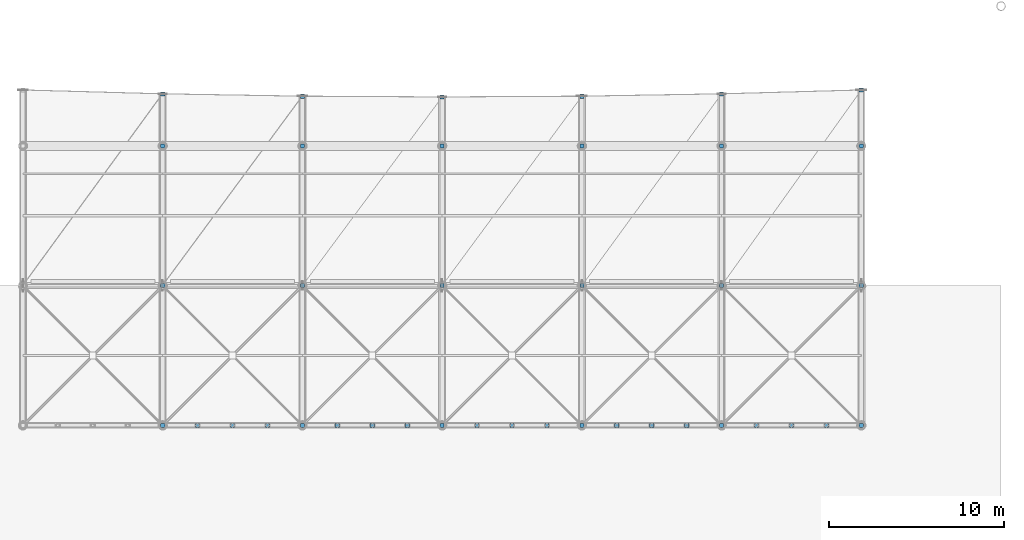
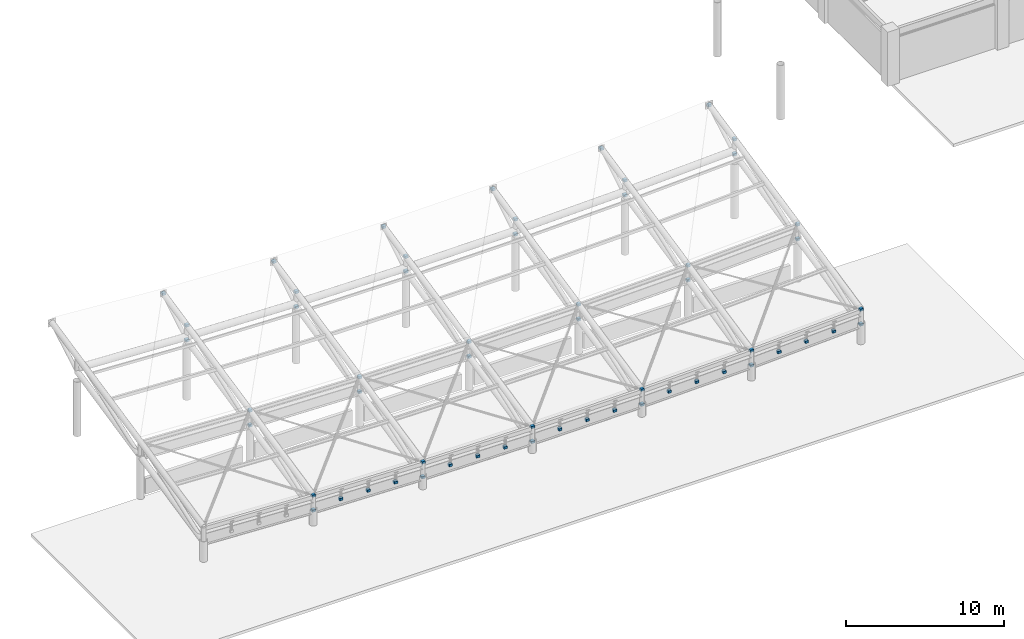
# One storey, part 66 of 78: 57 discrete accessories.
"""IFC4 building model written with IfcOpenShell, lengths in metres."""

import ifcopenshell
import ifcopenshell.guid

model = None  # the IFC model being written
_history = None  # IfcOwnerHistory: only IFC2X3 demands one
_inside = {}  # id of a spatial element -> (the spatial element, [elements in it])
_under = {}  # id of a project, library or spatial element -> (it, [spatial elements below it])
_declared = {}  # id of a project -> (the project, [libraries it declares])
_typed = {}  # id of a type object -> (the type object, [elements of that type])
_made_of = {}  # id of a material, layer set ... -> (it, [elements and type objects made of it])


def new_model(schema):
    """Start an empty IFC model of exactly this schema.

    Asked for "IFC4X3", IfcOpenShell would pick the latest addendum, in which some entities
    have other attributes; the version numbers below select the first issue.
    IFC2X3 requires an IfcOwnerHistory on every rooted entity: one is made here for all.
    """
    global model, _history
    if schema == "IFC4X3":
        model = ifcopenshell.file(schema_version=(4, 3, 0, 0))
    else:
        model = ifcopenshell.file(schema=schema)
    _inside.clear()
    _under.clear()
    _declared.clear()
    _typed.clear()
    _made_of.clear()
    _history = None
    if model.schema == "IFC2X3":
        org = make("IfcOrganization", Name="unknown")
        user = make(
            "IfcPersonAndOrganization",
            ThePerson=make("IfcPerson", FamilyName="unknown"),
            TheOrganization=org,
        )
        app = make(
            "IfcApplication",
            ApplicationDeveloper=org,
            Version="unknown",
            ApplicationFullName="unknown",
            ApplicationIdentifier="unknown",
        )
        _history = make(
            "IfcOwnerHistory",
            OwningUser=user,
            OwningApplication=app,
            ChangeAction="ADDED",
            CreationDate=0,
        )
    return model


def make(cls, **values):
    """One entity of the class cls with the attributes given. An attribute that is None is left unset."""
    return model.create_entity(
        cls, **{name: value for name, value in values.items() if value is not None}
    )


def rooted(cls, **values):
    """An entity with a GlobalId (a new one), such as an element, a storey or a relation."""
    return make(cls, GlobalId=ifcopenshell.guid.new(), OwnerHistory=_history, **values)


def si_unit(unit_type, name, prefix=None):
    """IfcSIUnit, for example si_unit("LENGTHUNIT", "METRE", prefix="MILLI")."""
    return make("IfcSIUnit", UnitType=unit_type, Prefix=prefix, Name=name)


def assignment(units):
    """IfcUnitAssignment: the units of a project."""
    return None if units is None else make("IfcUnitAssignment", Units=units)


def point(xyz):
    """IfcCartesianPoint."""
    return None if xyz is None else make("IfcCartesianPoint", Coordinates=xyz)


def direction(xyz):
    """IfcDirection."""
    return None if xyz is None else make("IfcDirection", DirectionRatios=xyz)


def frame(location, z_axis=None, x_axis=None):
    """IfcAxis2Placement3D, a coordinate frame: its origin and axes. An axis left out is left unset."""
    return make(
        "IfcAxis2Placement3D",
        Location=point(location),
        Axis=direction(z_axis),
        RefDirection=direction(x_axis),
    )


def frame_2d(location, x_axis=None):
    """IfcAxis2Placement2D, a coordinate frame in the plane: its origin and x axis."""
    return make(
        "IfcAxis2Placement2D", Location=point(location), RefDirection=direction(x_axis)
    )


def origin():
    """The frame at (0, 0, 0) with its axes left unset."""
    return frame((0.0, 0.0, 0.0))


def origin_2d():
    """The frame at (0, 0) in the plane with its x axis left unset."""
    return frame_2d((0.0, 0.0))


def place(relative_to, where):
    """IfcLocalPlacement: puts the frame where relative to a parent placement (None: the world)."""
    return make(
        "IfcLocalPlacement", PlacementRelTo=relative_to, RelativePlacement=where
    )


def context(
    kind, dimensions, precision=None, world=None, true_north=None, identifier=None
):
    """IfcGeometricRepresentationContext, for example the 3D "Model" context."""
    return make(
        "IfcGeometricRepresentationContext",
        ContextIdentifier=identifier,
        ContextType=kind,
        CoordinateSpaceDimension=dimensions,
        Precision=precision,
        WorldCoordinateSystem=world,
        TrueNorth=true_north,
    )


def subcontext(parent, identifier, kind, view, scale=None):
    """IfcGeometricRepresentationSubContext, for example "Body" below "Model"."""
    return make(
        "IfcGeometricRepresentationSubContext",
        ContextIdentifier=identifier,
        ContextType=kind,
        ParentContext=parent,
        TargetScale=scale,
        TargetView=view,
    )


def project(units=None, contexts=None):
    """IfcProject with its units and contexts."""
    return rooted(
        "IfcProject",
        Name="project",
        RepresentationContexts=contexts,
        UnitsInContext=assignment(units),
    )


def spatial(cls, under=None, at=None, **own):
    """A site, building, storey or space (cls), placed at a placement, below another one or the project."""
    s = rooted(cls, ObjectPlacement=at, **own)
    if under is not None:
        _under.setdefault(under.id(), (under, []))[1].append(s)
    return s


def profile(cls, at=None, kind="AREA", **sizes):
    """A parametric profile (cls). Its sizes go by their IFC names, for example OverallWidth=200.0."""
    return make(cls, ProfileType=kind, Position=at, **sizes)


def rectangle(**sizes):
    """IfcRectangleProfileDef."""
    return profile("IfcRectangleProfileDef", **sizes)


def extrude(swept, where, along, depth):
    """IfcExtrudedAreaSolid: the profile swept, set in the frame where, extruded along a direction by depth."""
    return make(
        "IfcExtrudedAreaSolid",
        SweptArea=swept,
        Position=where,
        ExtrudedDirection=direction(along),
        Depth=depth,
    )


def shape(context_of_items, identifier, shape_type, items):
    """IfcShapeRepresentation: the items that make up one representation, for example the "Body"."""
    return make(
        "IfcShapeRepresentation",
        ContextOfItems=context_of_items,
        RepresentationIdentifier=identifier,
        RepresentationType=shape_type,
        Items=items,
    )


def material(Name=None, Category=None):
    """IfcMaterial."""
    return make("IfcMaterial", Name=Name, Category=Category)


def layer(
    of_material, thickness, ventilated=None, Name=None, Category=None, Priority=None
):
    """IfcMaterialLayer: one layer of a wall or slab, of a material (None: an air gap)."""
    return make(
        "IfcMaterialLayer",
        Material=of_material,
        LayerThickness=thickness,
        IsVentilated=ventilated,
        Name=Name,
        Category=Category,
        Priority=Priority,
    )


def layer_set(layers, Name=None):
    """IfcMaterialLayerSet."""
    return make("IfcMaterialLayerSet", MaterialLayers=layers, LayerSetName=Name)


def made_of(thing, what):
    """Note that an element or type object is made of a material, layer set ...; save() writes the relation."""
    if what is not None:
        _made_of.setdefault(what.id(), (what, []))[1].append(thing)
    return thing


def type_object(cls, material=None, **own):
    """A type object (cls), such as IfcWallType, which elements share."""
    return made_of(rooted(cls, **own), material)


def element(
    cls,
    number,
    at=None,
    inside=None,
    cuts=None,
    type_object=None,
    material=None,
    context=None,
    identifier="Body",
    shape_type=None,
    held_by="IfcProductDefinitionShape",
    body=None,
    shapes=None,
    **own,
):
    """One element of the class cls, such as IfcWall. Its Tag is "e" and its number.

    at: its placement. inside: the storey or other place that contains it. cuts: it is an
    opening in that element (IfcRelVoidsElement). A single representation is given by context,
    identifier, shape_type and body (its items); several are given by shapes. held_by: the class
    of the entity that holds the representations. save() writes the other relations.
    """
    e = rooted(cls, Tag="e%d" % number, ObjectPlacement=at, **own)
    if body is not None:
        shapes = [shape(context, identifier, shape_type, body)]
    if shapes is not None:
        e.Representation = make(held_by, Representations=shapes)
    if inside is not None:
        _inside.setdefault(inside.id(), (inside, []))[1].append(e)
    if cuts is not None:
        rooted(
            "IfcRelVoidsElement", RelatingBuildingElement=cuts, RelatedOpeningElement=e
        )
    if type_object is not None:
        _typed.setdefault(type_object.id(), (type_object, []))[1].append(e)
    return made_of(e, material)


def aggregate(whole, parts):
    """IfcRelAggregates: a whole, such as a stair, and the parts it consists of."""
    return rooted("IfcRelAggregates", RelatingObject=whole, RelatedObjects=parts)


def save(model, path):
    """Write the relations noted so far, then the file.

    IfcRelAggregates (storeys below a building ...), IfcRelContainedInSpatialStructure (elements
    in a storey), IfcRelDefinesByType, IfcRelAssociatesMaterial and IfcRelDeclares: one each for
    every whole, place, type object, material and project.
    """
    for whole, parts in _under.values():
        aggregate(whole, parts)
    for where, things in _inside.values():
        rooted(
            "IfcRelContainedInSpatialStructure",
            RelatedElements=things,
            RelatingStructure=where,
        )
    for kind, things in _typed.values():
        rooted("IfcRelDefinesByType", RelatedObjects=things, RelatingType=kind)
    for what, things in _made_of.values():
        rooted("IfcRelAssociatesMaterial", RelatedObjects=things, RelatingMaterial=what)
    for by, libraries in _declared.values():
        rooted("IfcRelDeclares", RelatingContext=by, RelatedDefinitions=libraries)
    model.write(path)


model = new_model("IFC4")

# Units and contexts
model_context = context("Model", 3, precision=1e-05, world=origin(), true_north=direction((0.0, 1.0)))
body_context = subcontext(model_context, "Body", "Model", "MODEL_VIEW")
ifc_project = project(units=[si_unit("LENGTHUNIT", "METRE"), si_unit("AREAUNIT", "SQUARE_METRE"), si_unit("VOLUMEUNIT", "CUBIC_METRE"), si_unit("PLANEANGLEUNIT", "RADIAN"), si_unit("MASSUNIT", "GRAM", prefix="KILO")], contexts=[model_context])

# Site, building, storey
site_placement = place(None, origin())
site = spatial("IfcSite", under=ifc_project, at=site_placement, CompositionType="ELEMENT")
building_placement = place(site_placement, origin())
building = spatial("IfcBuilding", under=site, at=building_placement, Name="Haebicheon Civic Stadium", CompositionType="ELEMENT")
storey_placement = place(building_placement, frame((0.0, 0.0, 18.60009765625)))
storey = spatial("IfcBuildingStorey", under=building, at=storey_placement, Name="L05", CompositionType="ELEMENT", Elevation=18.60009765625)

# Discrete accessories
ifc_material = material(Name="White painted steel SM490", Category="steel")
ifc_layer = layer(ifc_material, 0.179931640625, Name="White painted steel SM490")
ifc_layer_set = layer_set([ifc_layer], Name="White painted steel SM490")
discrete_accessory_type = type_object("IfcDiscreteAccessoryType", Name="BRK-END-PLT", PredefinedType="BRACKET", material=ifc_layer_set)
for number, where, z_axis, x_axis, name in (
    (1, (88.0, 24.0, 0.97998046875), (0.0, 0.0, 1.0), (1.0, 0.0, 0.0), "CAN-SOUTH truss 2 node bolted end connection plate"),
    (2, (88.0, 24.0, 2.1298828125), (0.0, 0.0, 1.0), (1.0, 0.0, 0.0), "CAN-SOUTH truss 2 node bolted end connection plate"),
    (3, (88.0, 32.0, 2.69970703125), (0.0, 0.0, 1.0), (1.0, 0.0, 0.0), "CAN-SOUTH truss 2 node bolted end connection plate"),
    (4, (88.0, 32.0, 3.85009765625), (0.0, 0.0, 1.0), (1.0, 0.0, 0.0), "CAN-SOUTH truss 2 node bolted end connection plate"),
    (5, (88.0, 40.0, 4.419921875), (0.0, 0.0, 1.0), (1.0, 0.0, 0.0), "CAN-SOUTH truss 2 node bolted end connection plate"),
    (6, (88.0, 40.0, 5.56982421875), (0.0, 0.0, 1.0), (1.0, 0.0, 0.0), "CAN-SOUTH truss 2 node bolted end connection plate"),
    (7, (88.0, 42.97802734375, 6.2099609375), (0.0, 0.0, 1.0), (1.0, 0.0, 0.0), "CAN-SOUTH truss 2 node bolted end connection plate"),
    (8, (96.0, 24.0, 0.759765625), (0.0, 0.0, 1.0), (1.0, 0.0, 0.0), "CAN-SOUTH truss 3 node bolted end connection plate"),
    (9, (96.0, 24.0, 1.91015625), (0.0, 0.0, 1.0), (1.0, 0.0, 0.0), "CAN-SOUTH truss 3 node bolted end connection plate"),
    (10, (96.0, 32.0, 2.47998046875), (0.0, 0.0, 1.0), (1.0, 0.0, 0.0), "CAN-SOUTH truss 3 node bolted end connection plate"),
    (11, (96.0, 32.0, 3.6298828125), (0.0, 0.0, 1.0), (1.0, 0.0, 0.0), "CAN-SOUTH truss 3 node bolted end connection plate"),
    (12, (96.0, 40.0, 4.19970703125), (0.0, 0.0, 1.0), (1.0, 0.0, 0.0), "CAN-SOUTH truss 3 node bolted end connection plate"),
    (13, (96.0, 40.0, 5.35009765625), (0.0, 0.0, 1.0), (1.0, 0.0, 0.0), "CAN-SOUTH truss 3 node bolted end connection plate"),
    (14, (96.0, 42.843994140625, 5.9609375), (0.0, 0.0, 1.0), (1.0, 0.0, 0.0), "CAN-SOUTH truss 3 node bolted end connection plate"),
    (15, (104.0, 24.0, 0.68701171875), (0.0, 0.0, 1.0), (1.0, 0.0, 0.0), "CAN-SOUTH truss 4 node bolted end connection plate"),
    (16, (104.0, 24.0, 1.8369140625), (0.0, 0.0, 1.0), (1.0, 0.0, 0.0), "CAN-SOUTH truss 4 node bolted end connection plate"),
    (17, (104.0, 32.0, 2.40673828125), (0.0, 0.0, 1.0), (1.0, 0.0, 0.0), "CAN-SOUTH truss 4 node bolted end connection plate"),
    (18, (104.0, 32.0, 3.55712890625), (0.0, 0.0, 1.0), (1.0, 0.0, 0.0), "CAN-SOUTH truss 4 node bolted end connection plate"),
    (19, (104.0, 40.0, 4.126953125), (0.0, 0.0, 1.0), (1.0, 0.0, 0.0), "CAN-SOUTH truss 4 node bolted end connection plate"),
    (20, (104.0, 40.0, 5.27685546875), (0.0, 0.0, 1.0), (1.0, 0.0, 0.0), "CAN-SOUTH truss 4 node bolted end connection plate"),
    (21, (104.0, 42.800048828125, 5.87890625), (0.0, 0.0, 1.0), (1.0, 0.0, 0.0), "CAN-SOUTH truss 4 node bolted end connection plate"),
    (22, (112.0, 24.0, 0.759765625), (0.0, 0.0, 1.0), (1.0, 0.0, 0.0), "CAN-SOUTH truss 5 node bolted end connection plate"),
    (23, (112.0, 24.0, 1.91015625), (0.0, 0.0, 1.0), (1.0, 0.0, 0.0), "CAN-SOUTH truss 5 node bolted end connection plate"),
    (24, (112.0, 32.0, 2.47998046875), (0.0, 0.0, 1.0), (1.0, 0.0, 0.0), "CAN-SOUTH truss 5 node bolted end connection plate"),
    (25, (112.0, 32.0, 3.6298828125), (0.0, 0.0, 1.0), (1.0, 0.0, 0.0), "CAN-SOUTH truss 5 node bolted end connection plate"),
    (26, (112.0, 40.0, 4.19970703125), (0.0, 0.0, 1.0), (1.0, 0.0, 0.0), "CAN-SOUTH truss 5 node bolted end connection plate"),
    (27, (112.0, 40.0, 5.35009765625), (0.0, 0.0, 1.0), (1.0, 0.0, 0.0), "CAN-SOUTH truss 5 node bolted end connection plate"),
    (28, (112.0, 42.843994140625, 5.9609375), (0.0, 0.0, 1.0), (1.0, 0.0, 0.0), "CAN-SOUTH truss 5 node bolted end connection plate"),
    (29, (120.0, 24.0, 0.97998046875), (0.0, 0.0, 1.0), (1.0, 0.0, 0.0), "CAN-SOUTH truss 6 node bolted end connection plate"),
    (30, (120.0, 24.0, 2.1298828125), (0.0, 0.0, 1.0), (1.0, 0.0, 0.0), "CAN-SOUTH truss 6 node bolted end connection plate"),
    (31, (120.0, 32.0, 2.69970703125), (0.0, 0.0, 1.0), (1.0, 0.0, 0.0), "CAN-SOUTH truss 6 node bolted end connection plate"),
    (32, (120.0, 32.0, 3.85009765625), (0.0, 0.0, 1.0), (1.0, 0.0, 0.0), "CAN-SOUTH truss 6 node bolted end connection plate"),
    (33, (120.0, 40.0, 4.419921875), (0.0, 0.0, 1.0), (1.0, 0.0, 0.0), "CAN-SOUTH truss 6 node bolted end connection plate"),
    (34, (120.0, 40.0, 5.56982421875), (0.0, 0.0, 1.0), (1.0, 0.0, 0.0), "CAN-SOUTH truss 6 node bolted end connection plate"),
    (35, (120.0, 42.97802734375, 6.2099609375), (0.0, 0.0, 1.0), (1.0, 0.0, 0.0), "CAN-SOUTH truss 6 node bolted end connection plate"),
    (36, (128.0, 24.0, 1.34716796875), (0.0, 0.0, 1.0), (1.0, 0.0, 0.0), "CAN-SOUTH truss 7 node bolted end connection plate"),
    (37, (128.0, 24.0, 2.4970703125), (0.0, 0.0, 1.0), (1.0, 0.0, 0.0), "CAN-SOUTH truss 7 node bolted end connection plate"),
    (38, (128.0, 32.0, 3.06689453125), (0.0, 0.0, 1.0), (1.0, 0.0, 0.0), "CAN-SOUTH truss 7 node bolted end connection plate"),
    (39, (128.0, 32.0, 4.216796875), (0.0, 0.0, 1.0), (1.0, 0.0, 0.0), "CAN-SOUTH truss 7 node bolted end connection plate"),
    (40, (128.0, 40.0, 4.787109375), (0.0, 0.0, 1.0), (1.0, 0.0, 0.0), "CAN-SOUTH truss 7 node bolted end connection plate"),
    (41, (128.0, 40.0, 5.93701171875), (0.0, 0.0, 1.0), (1.0, 0.0, 0.0), "CAN-SOUTH truss 7 node bolted end connection plate"),
    (42, (128.0, 43.199951171875, 6.625), (0.0, 0.0, 1.0), (1.0, 0.0, 0.0), "CAN-SOUTH truss 7 node bolted end connection plate"),
    (43, (90.0, 24.0, 1.1748046875), (0.0, 0.0, 1.0), (1.0, 0.0, 0.0), "CAN-SOUTH hanger base 2.1 bolted end connection plate"),
    (44, (92.0, 24.0, 1.1201171875), (0.0, 0.0, 1.0), (1.0, 0.0, 0.0), "CAN-SOUTH hanger base 2.2 bolted end connection plate"),
    (45, (94.0, 24.0, 1.06494140625), (0.0, 0.0, 1.0), (1.0, 0.0, 0.0), "CAN-SOUTH hanger base 2.3 bolted end connection plate"),
    (46, (98.0, 24.0, 0.99169921875), (0.0, 0.0, 1.0), (1.0, 0.0, 0.0), "CAN-SOUTH hanger base 3.1 bolted end connection plate"),
    (47, (100.0, 24.0, 0.97412109375), (0.0, 0.0, 1.0), (1.0, 0.0, 0.0), "CAN-SOUTH hanger base 3.2 bolted end connection plate"),
    (48, (102.0, 24.0, 0.955078125), (0.0, 0.0, 1.0), (1.0, 0.0, 0.0), "CAN-SOUTH hanger base 3.3 bolted end connection plate"),
    (49, (106.0, 24.0, 0.955078125), (0.0, 0.0, 1.0), (1.0, 0.0, 0.0), "CAN-SOUTH hanger base 4.1 bolted end connection plate"),
    (50, (108.0, 24.0, 0.97412109375), (0.0, 0.0, 1.0), (1.0, 0.0, 0.0), "CAN-SOUTH hanger base 4.2 bolted end connection plate"),
    (51, (110.0, 24.0, 0.99169921875), (0.0, 0.0, 1.0), (1.0, 0.0, 0.0), "CAN-SOUTH hanger base 4.3 bolted end connection plate"),
    (52, (114.0, 24.0, 1.06494140625), (0.0, 0.0, 1.0), (1.0, 0.0, 0.0), "CAN-SOUTH hanger base 5.1 bolted end connection plate"),
    (53, (116.0, 24.0, 1.1201171875), (0.0, 0.0, 1.0), (1.0, 0.0, 0.0), "CAN-SOUTH hanger base 5.2 bolted end connection plate"),
    (54, (118.0, 24.0, 1.1748046875), (0.0, 0.0, 1.0), (1.0, 0.0, 0.0), "CAN-SOUTH hanger base 5.3 bolted end connection plate"),
    (55, (122.0, 24.0, 1.32177734375), (0.0, 0.0, 1.0), (1.0, 0.0, 0.0), "CAN-SOUTH hanger base 6.1 bolted end connection plate"),
    (56, (124.0, 24.0, 1.4130859375), (0.0, 0.0, 1.0), (1.0, 0.0, 0.0), "CAN-SOUTH hanger base 6.2 bolted end connection plate"),
    (57, (126.0, 24.0, 1.5048828125), (0.0, 0.0, 1.0), (1.0, 0.0, 0.0), "CAN-SOUTH hanger base 6.3 bolted end connection plate"),
):
    element("IfcDiscreteAccessory", number, at=place(storey_placement, frame(where, z_axis=z_axis, x_axis=x_axis)), inside=storey, type_object=discrete_accessory_type, material=ifc_layer_set, Name=name, PredefinedType="BRACKET", context=body_context, shape_type="SweptSolid", body=[
        extrude(rectangle(XDim=0.239990234375, YDim=0.239990234375, at=origin_2d()), origin(), (0.0, 0.0, 1.0), 0.179931640625),
    ])

save(model, "model.ifc")
